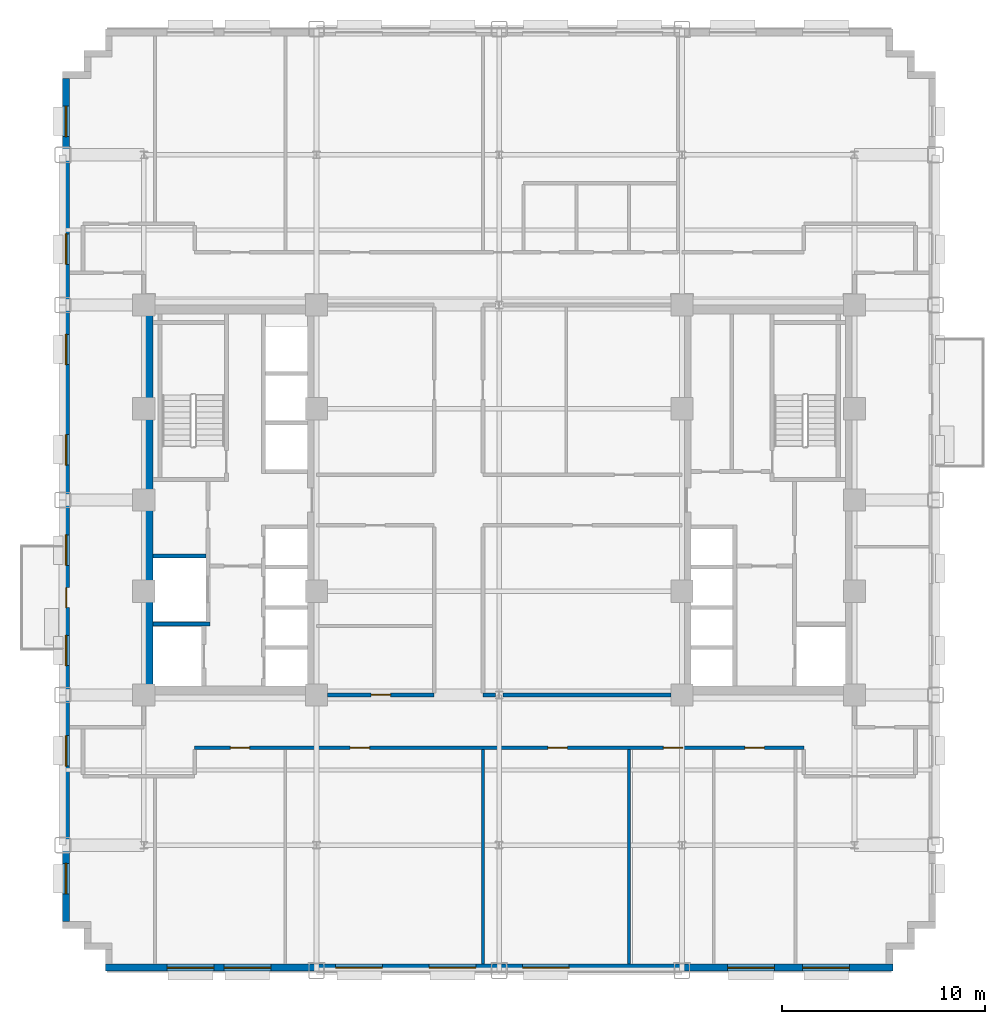
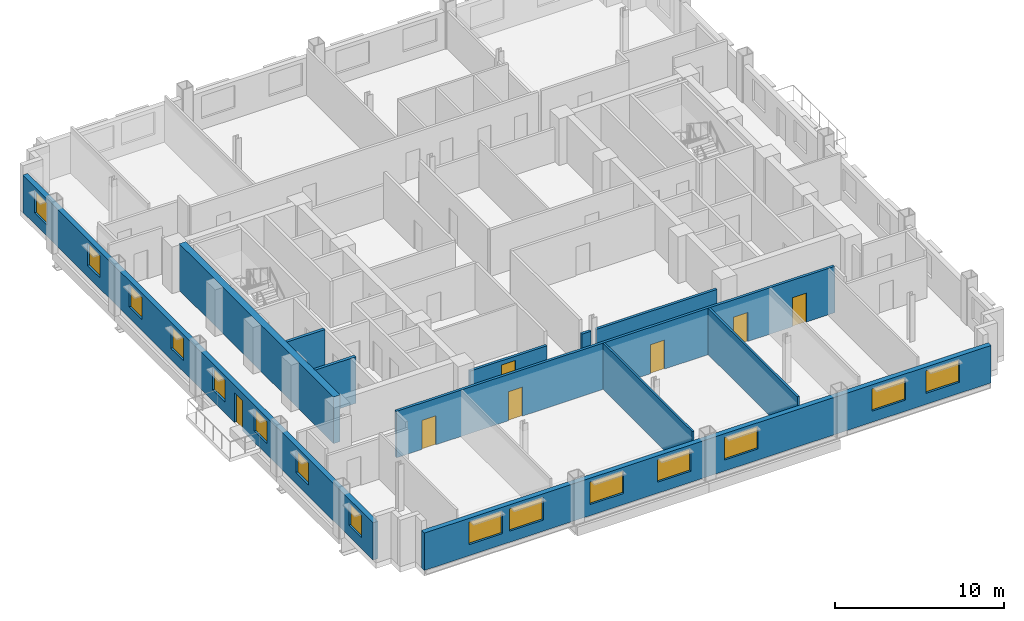
# One storey, part 6 of 14: 15 windows, 11 walls, 7 doors, 22 openings.
"""IFC4 building model written with IfcOpenShell, lengths in metres."""

from ifc_helpers import new_model, si_unit, direction, frame, frame_2d, origin, place, context, subcontext, project, spatial, rectangle, extrude, source, transform, mapped, material, layer, layer_set, type_object, type_shapes, element, fill, save


model = new_model("IFC4")

# Units and contexts
model_context = context("Model", 3, precision=1e-05, world=origin(), true_north=direction((0.0, 1.0)))
body_context = subcontext(model_context, "Body", "Model", "MODEL_VIEW")
ifc_project = project(units=[si_unit("LENGTHUNIT", "METRE"), si_unit("AREAUNIT", "SQUARE_METRE"), si_unit("VOLUMEUNIT", "CUBIC_METRE"), si_unit("PLANEANGLEUNIT", "RADIAN"), si_unit("MASSUNIT", "GRAM", prefix="KILO")], contexts=[model_context])

# Site, building, storey
site_placement = place(None, origin())
site = spatial("IfcSite", under=ifc_project, at=site_placement, CompositionType="ELEMENT")
building_placement = place(site_placement, origin())
building = spatial("IfcBuilding", under=site, at=building_placement, Name="Nuvemarco Arch Tower", CompositionType="ELEMENT")
storey_placement = place(building_placement, frame((0.0, 0.0, 56.800048828125)))
storey = spatial("IfcBuildingStorey", under=building, at=storey_placement, Name="L14", CompositionType="ELEMENT", Elevation=56.800048828125)

# Wall, openings, windows
ifc_material_1 = material(Name="Precast concrete C45/55", Category="concrete")
ifc_layer_1 = layer(ifc_material_1, 0.340087890625, Name="EW-LOW-340")
ifc_layer_set_1 = layer_set([ifc_layer_1], Name="Precast concrete C45/55")
wall_type_1 = type_object("IfcWallType", Name="EW-LOW-340", PredefinedType="STANDARD", material=ifc_layer_set_1)
wall_1_placement = place(storey_placement, frame((-19.39990234375, -23.030029296875, 0.0), z_axis=(0.0, 0.0, 1.0), x_axis=(1.0, 0.0, 0.0)))
wall_1 = element("IfcWall", 1, at=wall_1_placement, inside=storey, type_object=wall_type_1, Name="L14 exterior precast facade wall 1", PredefinedType="STANDARD", context=body_context, shape_type="SweptSolid", body=[
    extrude(rectangle(XDim=38.7998046875, YDim=0.340087890625, at=frame_2d((19.39990234375, 0.0))), origin(), (0.0, 0.0, 1.0), 2.704833984375),
])
opening_1_placement = place(wall_1_placement, frame((3.050048828125, 0.0, 0.800048828125)))
opening_1 = element("IfcOpeningElement", 2, at=opening_1_placement, cuts=wall_1, Name="Opening WN-10", PredefinedType="OPENING", context=body_context, shape_type="SweptSolid", body=[
    extrude(rectangle(XDim=2.300048828125, YDim=1.6201171875, at=frame_2d((1.14990234375, 0.81005859375))), frame((0.0, 0.179931640625, 0.0), z_axis=(0.0, -1.0, 0.0), x_axis=(1.0, 0.0, 0.0)), (0.0, 0.0, 1.0), 0.360107421875),
])
opening_2_placement = place(wall_1_placement, frame((5.85009765625, 0.0, 0.800048828125)))
opening_2 = element("IfcOpeningElement", 3, at=opening_2_placement, cuts=wall_1, Name="Opening WN-10", PredefinedType="OPENING", context=body_context, shape_type="SweptSolid", body=[
    extrude(rectangle(XDim=2.300048828125, YDim=1.6201171875, at=frame_2d((1.14990234375, 0.81005859375))), frame((0.0, 0.179931640625, 0.0), z_axis=(0.0, -1.0, 0.0), x_axis=(1.0, 0.0, 0.0)), (0.0, 0.0, 1.0), 0.360107421875),
])
opening_3_placement = place(wall_1_placement, frame((11.35009765625, 0.0, 0.800048828125)))
opening_3 = element("IfcOpeningElement", 4, at=opening_3_placement, cuts=wall_1, Name="Opening WN-10", PredefinedType="OPENING", context=body_context, shape_type="SweptSolid", body=[
    extrude(rectangle(XDim=2.300048828125, YDim=1.6201171875, at=frame_2d((1.14990234375, 0.81005859375))), frame((0.0, 0.179931640625, 0.0), z_axis=(0.0, -1.0, 0.0), x_axis=(1.0, 0.0, 0.0)), (0.0, 0.0, 1.0), 0.360107421875),
])
opening_4_placement = place(wall_1_placement, frame((15.949951171875, 0.0, 0.800048828125)))
opening_4 = element("IfcOpeningElement", 5, at=opening_4_placement, cuts=wall_1, Name="Opening WN-10", PredefinedType="OPENING", context=body_context, shape_type="SweptSolid", body=[
    extrude(rectangle(XDim=2.300048828125, YDim=1.6201171875, at=frame_2d((1.14990234375, 0.81005859375))), frame((0.0, 0.179931640625, 0.0), z_axis=(0.0, -1.0, 0.0), x_axis=(1.0, 0.0, 0.0)), (0.0, 0.0, 1.0), 0.360107421875),
])
opening_5_placement = place(wall_1_placement, frame((20.550048828125, 0.0, 0.800048828125)))
opening_5 = element("IfcOpeningElement", 6, at=opening_5_placement, cuts=wall_1, Name="Opening WN-10", PredefinedType="OPENING", context=body_context, shape_type="SweptSolid", body=[
    extrude(rectangle(XDim=2.300048828125, YDim=1.6201171875, at=frame_2d((1.14990234375, 0.81005859375))), frame((0.0, 0.179931640625, 0.0), z_axis=(0.0, -1.0, 0.0), x_axis=(1.0, 0.0, 0.0)), (0.0, 0.0, 1.0), 0.360107421875),
])
opening_6_placement = place(wall_1_placement, frame((30.64990234375, 0.0, 0.800048828125)))
opening_6 = element("IfcOpeningElement", 7, at=opening_6_placement, cuts=wall_1, Name="Opening WN-10", PredefinedType="OPENING", context=body_context, shape_type="SweptSolid", body=[
    extrude(rectangle(XDim=2.300048828125, YDim=1.6201171875, at=frame_2d((1.14990234375, 0.81005859375))), frame((0.0, 0.179931640625, 0.0), z_axis=(0.0, -1.0, 0.0), x_axis=(1.0, 0.0, 0.0)), (0.0, 0.0, 1.0), 0.360107421875),
])
opening_7_placement = place(wall_1_placement, frame((34.35009765625, 0.0, 0.800048828125)))
opening_7 = element("IfcOpeningElement", 8, at=opening_7_placement, cuts=wall_1, Name="Opening WN-10", PredefinedType="OPENING", context=body_context, shape_type="SweptSolid", body=[
    extrude(rectangle(XDim=2.300048828125, YDim=1.6201171875, at=frame_2d((1.14990234375, 0.81005859375))), frame((0.0, 0.179931640625, 0.0), z_axis=(0.0, -1.0, 0.0), x_axis=(1.0, 0.0, 0.0)), (0.0, 0.0, 1.0), 0.360107421875),
])
ifc_material_2 = material(Name="Insulated solar-control glass", Category="glass")
window_type_1 = type_object("IfcWindowType", Name="WN-STEP-2300x1700", PartitioningType="DOUBLE_PANEL_VERTICAL", PredefinedType="WINDOW", material=ifc_material_2)
shared_shape_1 = source(origin(), body_context, "Body", "SweptSolid", [
    extrude(rectangle(XDim=2.300048828125, YDim=1.6201171875, at=frame_2d((1.14990234375, 0.81005859375))), frame((0.0, 0.030029296875, 0.0), z_axis=(0.0, -1.0, 0.0), x_axis=(1.0, 0.0, 0.0)), (0.0, 0.0, 1.0), 0.06005859375),
])
type_shapes(window_type_1, [shared_shape_1])
window_1_placement = place(opening_1_placement, origin())
window_1 = element("IfcWindow", 9, at=window_1_placement, inside=storey, type_object=window_type_1, Name="L14 punched facade window 1", OverallHeight=1.6201171875, OverallWidth=2.300048828125, PartitioningType="SINGLE_PANEL", PredefinedType="WINDOW", context=body_context, shape_type="MappedRepresentation", body=[
    mapped(shared_shape_1, transform((0.0, 0.0, 0.0), scale=1.0)),
])
fill(opening_1, window_1)
window_2_placement = place(opening_2_placement, origin())
window_2 = element("IfcWindow", 10, at=window_2_placement, inside=storey, type_object=window_type_1, Name="L14 punched facade window 2", OverallHeight=1.6201171875, OverallWidth=2.300048828125, PartitioningType="SINGLE_PANEL", PredefinedType="WINDOW", context=body_context, shape_type="MappedRepresentation", body=[
    mapped(shared_shape_1, transform((0.0, 0.0, 0.0), scale=1.0)),
])
fill(opening_2, window_2)
window_3_placement = place(opening_3_placement, origin())
window_3 = element("IfcWindow", 11, at=window_3_placement, inside=storey, type_object=window_type_1, Name="L14 punched facade window 3", OverallHeight=1.6201171875, OverallWidth=2.300048828125, PartitioningType="SINGLE_PANEL", PredefinedType="WINDOW", context=body_context, shape_type="MappedRepresentation", body=[
    mapped(shared_shape_1, transform((0.0, 0.0, 0.0), scale=1.0)),
])
fill(opening_3, window_3)
window_4_placement = place(opening_4_placement, origin())
window_4 = element("IfcWindow", 12, at=window_4_placement, inside=storey, type_object=window_type_1, Name="L14 punched facade window 4", OverallHeight=1.6201171875, OverallWidth=2.300048828125, PartitioningType="SINGLE_PANEL", PredefinedType="WINDOW", context=body_context, shape_type="MappedRepresentation", body=[
    mapped(shared_shape_1, transform((0.0, 0.0, 0.0), scale=1.0)),
])
fill(opening_4, window_4)
window_5_placement = place(opening_5_placement, origin())
window_5 = element("IfcWindow", 13, at=window_5_placement, inside=storey, type_object=window_type_1, Name="L14 punched facade window 5", OverallHeight=1.6201171875, OverallWidth=2.300048828125, PartitioningType="SINGLE_PANEL", PredefinedType="WINDOW", context=body_context, shape_type="MappedRepresentation", body=[
    mapped(shared_shape_1, transform((0.0, 0.0, 0.0), scale=1.0)),
])
fill(opening_5, window_5)
window_6_placement = place(opening_6_placement, origin())
window_6 = element("IfcWindow", 14, at=window_6_placement, inside=storey, type_object=window_type_1, Name="L14 punched facade window 7", OverallHeight=1.6201171875, OverallWidth=2.300048828125, PartitioningType="SINGLE_PANEL", PredefinedType="WINDOW", context=body_context, shape_type="MappedRepresentation", body=[
    mapped(shared_shape_1, transform((0.0, 0.0, 0.0), scale=1.0)),
])
fill(opening_6, window_6)
window_7_placement = place(opening_7_placement, origin())
window_7 = element("IfcWindow", 15, at=window_7_placement, inside=storey, type_object=window_type_1, Name="L14 punched facade window 8", OverallHeight=1.6201171875, OverallWidth=2.300048828125, PartitioningType="SINGLE_PANEL", PredefinedType="WINDOW", context=body_context, shape_type="MappedRepresentation", body=[
    mapped(shared_shape_1, transform((0.0, 0.0, 0.0), scale=1.0)),
])
fill(opening_7, window_7)

# Wall, openings, door, windows
wall_2_placement = place(storey_placement, frame((-21.330078125, -20.763916015625, 0.0), z_axis=(0.0, 0.0, 1.0), x_axis=(0.0, 1.0, 0.0)))
wall_2 = element("IfcWall", 16, at=wall_2_placement, inside=storey, type_object=wall_type_1, Name="L14 exterior precast facade wall 16", PredefinedType="STANDARD", context=body_context, shape_type="SweptSolid", body=[
    extrude(rectangle(XDim=41.52783203125, YDim=0.340087890625, at=frame_2d((20.763916015625, 0.0))), origin(), (0.0, 0.0, 1.0), 2.704833984375),
])
opening_8_placement = place(wall_2_placement, frame((15.464111328125, 0.0, 0.0)))
opening_8 = element("IfcOpeningElement", 17, at=opening_8_placement, cuts=wall_2, Name="Opening ED-6", PredefinedType="OPENING", context=body_context, shape_type="SweptSolid", body=[
    extrude(rectangle(XDim=0.97998046875, YDim=2.14990234375, at=frame_2d((0.489990234375, 1.074951171875))), frame((0.0, 0.179931640625, 0.0), z_axis=(0.0, -1.0, 0.0), x_axis=(1.0, 0.0, 0.0)), (0.0, 0.0, 1.0), 0.360107421875),
])
opening_9_placement = place(wall_2_placement, frame((1.37060546875, 0.0, 0.800048828125)))
opening_9 = element("IfcOpeningElement", 18, at=opening_9_placement, cuts=wall_2, Name="Opening WN-11", PredefinedType="OPENING", context=body_context, shape_type="SweptSolid", body=[
    extrude(rectangle(XDim=1.5, YDim=1.60009765625, at=frame_2d((0.75, 0.800048828125))), frame((0.0, 0.179931640625, 0.0), z_axis=(0.0, -1.0, 0.0), x_axis=(1.0, 0.0, 0.0)), (0.0, 0.0, 1.0), 0.360107421875),
])
opening_10_placement = place(wall_2_placement, frame((7.66162109375, 0.0, 0.800048828125)))
opening_10 = element("IfcOpeningElement", 19, at=opening_10_placement, cuts=wall_2, Name="Opening WN-11", PredefinedType="OPENING", context=body_context, shape_type="SweptSolid", body=[
    extrude(rectangle(XDim=1.5, YDim=1.60009765625, at=frame_2d((0.75, 0.800048828125))), frame((0.0, 0.179931640625, 0.0), z_axis=(0.0, -1.0, 0.0), x_axis=(1.0, 0.0, 0.0)), (0.0, 0.0, 1.0), 0.360107421875),
])
opening_11_placement = place(wall_2_placement, frame((12.6025390625, 0.0, 0.800048828125)))
opening_11 = element("IfcOpeningElement", 20, at=opening_11_placement, cuts=wall_2, Name="Opening WN-11", PredefinedType="OPENING", context=body_context, shape_type="SweptSolid", body=[
    extrude(rectangle(XDim=1.5, YDim=1.60009765625, at=frame_2d((0.75, 0.800048828125))), frame((0.0, 0.179931640625, 0.0), z_axis=(0.0, -1.0, 0.0), x_axis=(1.0, 0.0, 0.0)), (0.0, 0.0, 1.0), 0.360107421875),
])
opening_12_placement = place(wall_2_placement, frame((17.54345703125, 0.0, 0.800048828125)))
opening_12 = element("IfcOpeningElement", 21, at=opening_12_placement, cuts=wall_2, Name="Opening WN-11", PredefinedType="OPENING", context=body_context, shape_type="SweptSolid", body=[
    extrude(rectangle(XDim=1.5, YDim=1.60009765625, at=frame_2d((0.75, 0.800048828125))), frame((0.0, 0.179931640625, 0.0), z_axis=(0.0, -1.0, 0.0), x_axis=(1.0, 0.0, 0.0)), (0.0, 0.0, 1.0), 0.360107421875),
])
opening_13_placement = place(wall_2_placement, frame((22.484619140625, 0.0, 0.800048828125)))
opening_13 = element("IfcOpeningElement", 22, at=opening_13_placement, cuts=wall_2, Name="Opening WN-11", PredefinedType="OPENING", context=body_context, shape_type="SweptSolid", body=[
    extrude(rectangle(XDim=1.5, YDim=1.60009765625, at=frame_2d((0.75, 0.800048828125))), frame((0.0, 0.179931640625, 0.0), z_axis=(0.0, -1.0, 0.0), x_axis=(1.0, 0.0, 0.0)), (0.0, 0.0, 1.0), 0.360107421875),
])
opening_14_placement = place(wall_2_placement, frame((27.425537109375, 0.0, 0.800048828125)))
opening_14 = element("IfcOpeningElement", 23, at=opening_14_placement, cuts=wall_2, Name="Opening WN-11", PredefinedType="OPENING", context=body_context, shape_type="SweptSolid", body=[
    extrude(rectangle(XDim=1.5, YDim=1.60009765625, at=frame_2d((0.75, 0.800048828125))), frame((0.0, 0.179931640625, 0.0), z_axis=(0.0, -1.0, 0.0), x_axis=(1.0, 0.0, 0.0)), (0.0, 0.0, 1.0), 0.360107421875),
])
opening_15_placement = place(wall_2_placement, frame((32.366455078125, 0.0, 0.800048828125)))
opening_15 = element("IfcOpeningElement", 24, at=opening_15_placement, cuts=wall_2, Name="Opening WN-11", PredefinedType="OPENING", context=body_context, shape_type="SweptSolid", body=[
    extrude(rectangle(XDim=1.5, YDim=1.60009765625, at=frame_2d((0.75, 0.800048828125))), frame((0.0, 0.179931640625, 0.0), z_axis=(0.0, -1.0, 0.0), x_axis=(1.0, 0.0, 0.0)), (0.0, 0.0, 1.0), 0.360107421875),
])
opening_16_placement = place(wall_2_placement, frame((38.657470703125, 0.0, 0.800048828125)))
opening_16 = element("IfcOpeningElement", 25, at=opening_16_placement, cuts=wall_2, Name="Opening WN-11", PredefinedType="OPENING", context=body_context, shape_type="SweptSolid", body=[
    extrude(rectangle(XDim=1.5, YDim=1.60009765625, at=frame_2d((0.75, 0.800048828125))), frame((0.0, 0.179931640625, 0.0), z_axis=(0.0, -1.0, 0.0), x_axis=(1.0, 0.0, 0.0)), (0.0, 0.0, 1.0), 0.360107421875),
])
ifc_material_3 = material(Name="Anodised bronze and laminated glass", Category="glass")
door_type_1 = type_object("IfcDoorType", Name="DR-EXT-BALC", OperationType="NOTDEFINED", PredefinedType="DOOR", material=ifc_material_3)
shared_shape_2 = source(origin(), body_context, "Body", "SweptSolid", [
    extrude(rectangle(XDim=0.97998046875, YDim=2.14990234375, at=frame_2d((0.489990234375, 1.074951171875))), frame((0.0, 0.02490234375, 0.0), z_axis=(0.0, -1.0, 0.0), x_axis=(1.0, 0.0, 0.0)), (0.0, 0.0, 1.0), 0.050048828125),
])
type_shapes(door_type_1, [shared_shape_2])
door_1_placement = place(opening_8_placement, origin())
door_1 = element("IfcDoor", 26, at=door_1_placement, inside=storey, type_object=door_type_1, Name="L14 tree balcony access door", OperationType="SINGLE_SWING_LEFT", OverallHeight=2.14990234375, OverallWidth=0.97998046875, PredefinedType="DOOR", context=body_context, shape_type="MappedRepresentation", body=[
    mapped(shared_shape_2, transform((0.0, 0.0, 0.0), scale=1.0)),
])
fill(opening_8, door_1)
window_type_2 = type_object("IfcWindowType", Name="WN-STEP-1500x1850", PartitioningType="SINGLE_PANEL", PredefinedType="WINDOW", material=ifc_material_2)
shared_shape_3 = source(origin(), body_context, "Body", "SweptSolid", [
    extrude(rectangle(XDim=1.5, YDim=1.60009765625, at=frame_2d((0.75, 0.800048828125))), frame((0.0, 0.030029296875, 0.0), z_axis=(0.0, -1.0, 0.0), x_axis=(1.0, 0.0, 0.0)), (0.0, 0.0, 1.0), 0.06005859375),
])
type_shapes(window_type_2, [shared_shape_3])
window_8_placement = place(opening_9_placement, origin())
window_8 = element("IfcWindow", 27, at=window_8_placement, inside=storey, type_object=window_type_2, Name="L14 punched facade window 1", OverallHeight=1.60009765625, OverallWidth=1.5, PartitioningType="SINGLE_PANEL", PredefinedType="WINDOW", context=body_context, shape_type="MappedRepresentation", body=[
    mapped(shared_shape_3, transform((0.0, 0.0, 0.0), scale=1.0)),
])
fill(opening_9, window_8)
window_9_placement = place(opening_10_placement, origin())
window_9 = element("IfcWindow", 28, at=window_9_placement, inside=storey, type_object=window_type_2, Name="L14 punched facade window 2", OverallHeight=1.60009765625, OverallWidth=1.5, PartitioningType="SINGLE_PANEL", PredefinedType="WINDOW", context=body_context, shape_type="MappedRepresentation", body=[
    mapped(shared_shape_3, transform((0.0, 0.0, 0.0), scale=1.0)),
])
fill(opening_10, window_9)
window_10_placement = place(opening_11_placement, origin())
window_10 = element("IfcWindow", 29, at=window_10_placement, inside=storey, type_object=window_type_2, Name="L14 punched facade window 3", OverallHeight=1.60009765625, OverallWidth=1.5, PartitioningType="SINGLE_PANEL", PredefinedType="WINDOW", context=body_context, shape_type="MappedRepresentation", body=[
    mapped(shared_shape_3, transform((0.0, 0.0, 0.0), scale=1.0)),
])
fill(opening_11, window_10)
window_11_placement = place(opening_12_placement, origin())
window_11 = element("IfcWindow", 30, at=window_11_placement, inside=storey, type_object=window_type_2, Name="L14 punched facade window 4", OverallHeight=1.60009765625, OverallWidth=1.5, PartitioningType="SINGLE_PANEL", PredefinedType="WINDOW", context=body_context, shape_type="MappedRepresentation", body=[
    mapped(shared_shape_3, transform((0.0, 0.0, 0.0), scale=1.0)),
])
fill(opening_12, window_11)
window_12_placement = place(opening_13_placement, origin())
window_12 = element("IfcWindow", 31, at=window_12_placement, inside=storey, type_object=window_type_2, Name="L14 punched facade window 5", OverallHeight=1.60009765625, OverallWidth=1.5, PartitioningType="SINGLE_PANEL", PredefinedType="WINDOW", context=body_context, shape_type="MappedRepresentation", body=[
    mapped(shared_shape_3, transform((0.0, 0.0, 0.0), scale=1.0)),
])
fill(opening_13, window_12)
window_13_placement = place(opening_14_placement, origin())
window_13 = element("IfcWindow", 32, at=window_13_placement, inside=storey, type_object=window_type_2, Name="L14 punched facade window 6", OverallHeight=1.60009765625, OverallWidth=1.5, PartitioningType="SINGLE_PANEL", PredefinedType="WINDOW", context=body_context, shape_type="MappedRepresentation", body=[
    mapped(shared_shape_3, transform((0.0, 0.0, 0.0), scale=1.0)),
])
fill(opening_14, window_13)
window_14_placement = place(opening_15_placement, origin())
window_14 = element("IfcWindow", 33, at=window_14_placement, inside=storey, type_object=window_type_2, Name="L14 punched facade window 7", OverallHeight=1.60009765625, OverallWidth=1.5, PartitioningType="SINGLE_PANEL", PredefinedType="WINDOW", context=body_context, shape_type="MappedRepresentation", body=[
    mapped(shared_shape_3, transform((0.0, 0.0, 0.0), scale=1.0)),
])
fill(opening_15, window_14)
window_15_placement = place(opening_16_placement, origin())
window_15 = element("IfcWindow", 34, at=window_15_placement, inside=storey, type_object=window_type_2, Name="L14 punched facade window 8", OverallHeight=1.60009765625, OverallWidth=1.5, PartitioningType="SINGLE_PANEL", PredefinedType="WINDOW", context=body_context, shape_type="MappedRepresentation", body=[
    mapped(shared_shape_3, transform((0.0, 0.0, 0.0), scale=1.0)),
])
fill(opening_16, window_15)

# Wall
ifc_material_4 = material(Name="Concrete C60/75", Category="concrete")
ifc_layer_2 = layer(ifc_material_4, 0.449951171875, Name="WL-CORE-450")
ifc_layer_set_2 = layer_set([ifc_layer_2], Name="Concrete C60/75")
wall_type_2 = type_object("IfcWallType", Name="WL-CORE-450", PredefinedType="SHEAR", material=ifc_layer_set_2)
wall_3_placement = place(storey_placement, frame((-17.27490234375, -9.155029296875, 0.0), z_axis=(0.0, 0.0, 1.0), x_axis=(0.0, 1.0, 0.0)))
element("IfcWall", 35, at=wall_3_placement, inside=storey, type_object=wall_type_2, Name="L14 W-core shear wall W", PredefinedType="SHEAR", context=body_context, shape_type="SweptSolid", body=[
    extrude(rectangle(XDim=18.31005859375, YDim=0.449951171875, at=frame_2d((9.155029296875, 0.0))), origin(), (0.0, 0.0, 1.0), 3.369873046875),
])

# Wall, openings, doors
ifc_material_5 = material(Name="Fire-rated gypsum drywall partition")
ifc_layer_3 = layer(ifc_material_5, 0.179931640625, Name="WL-CORR-180")
ifc_layer_set_3 = layer_set([ifc_layer_3], Name="Fire-rated gypsum drywall partition")
wall_type_3 = type_object("IfcWallType", Name="WL-CORR-180", PredefinedType="PARTITIONING", material=ifc_layer_set_3)
wall_4_placement = place(storey_placement, frame((-15.0, -12.199951171875, 0.0), z_axis=(0.0, 0.0, 1.0), x_axis=(1.0, 0.0, 0.0)))
wall_4 = element("IfcWall", 36, at=wall_4_placement, inside=storey, type_object=wall_type_3, Name="L14 interior wall IW-L14-003", PredefinedType="PARTITIONING", context=body_context, shape_type="SweptSolid", body=[
    extrude(rectangle(XDim=30.0, YDim=0.179931640625, at=frame_2d((15.0, 0.0))), origin(), (0.0, 0.0, 1.0), 3.35986328125),
])
opening_17_placement = place(wall_4_placement, frame((17.39990234375, 0.0, 0.0)))
opening_17 = element("IfcOpeningElement", 37, at=opening_17_placement, cuts=wall_4, Name="Opening FD-5", PredefinedType="OPENING", context=body_context, shape_type="SweptSolid", body=[
    extrude(rectangle(XDim=0.9599609375, YDim=2.10009765625, at=frame_2d((0.47998046875, 1.050048828125))), frame((0.0, 0.099853515625, 0.0), z_axis=(0.0, -1.0, 0.0), x_axis=(1.0, 0.0, 0.0)), (0.0, 0.0, 1.0), 0.199951171875),
])
opening_18_placement = place(wall_4_placement, frame((7.655029296875, 0.0, 0.0)))
opening_18 = element("IfcOpeningElement", 38, at=opening_18_placement, cuts=wall_4, Name="Opening FD-5", PredefinedType="OPENING", context=body_context, shape_type="SweptSolid", body=[
    extrude(rectangle(XDim=0.9599609375, YDim=2.10009765625, at=frame_2d((0.47998046875, 1.050048828125))), frame((0.0, 0.099853515625, 0.0), z_axis=(0.0, -1.0, 0.0), x_axis=(1.0, 0.0, 0.0)), (0.0, 0.0, 1.0), 0.199951171875),
])
opening_19_placement = place(wall_4_placement, frame((1.7548828125, 0.0, 0.0)))
opening_19 = element("IfcOpeningElement", 39, at=opening_19_placement, cuts=wall_4, Name="Opening FD-5", PredefinedType="OPENING", context=body_context, shape_type="SweptSolid", body=[
    extrude(rectangle(XDim=0.9599609375, YDim=2.10009765625, at=frame_2d((0.47998046875, 1.050048828125))), frame((0.0, 0.099853515625, 0.0), z_axis=(0.0, -1.0, 0.0), x_axis=(1.0, 0.0, 0.0)), (0.0, 0.0, 1.0), 0.199951171875),
])
opening_20_placement = place(wall_4_placement, frame((27.10009765625, 0.0, 0.0)))
opening_20 = element("IfcOpeningElement", 40, at=opening_20_placement, cuts=wall_4, Name="Opening FD-5", PredefinedType="OPENING", context=body_context, shape_type="SweptSolid", body=[
    extrude(rectangle(XDim=0.9599609375, YDim=2.10009765625, at=frame_2d((0.47998046875, 1.050048828125))), frame((0.0, 0.099853515625, 0.0), z_axis=(0.0, -1.0, 0.0), x_axis=(1.0, 0.0, 0.0)), (0.0, 0.0, 1.0), 0.199951171875),
])
opening_21_placement = place(wall_4_placement, frame((23.0849609375, 0.0, 0.0)))
opening_21 = element("IfcOpeningElement", 41, at=opening_21_placement, cuts=wall_4, Name="Opening FD-5", PredefinedType="OPENING", context=body_context, shape_type="SweptSolid", body=[
    extrude(rectangle(XDim=0.9599609375, YDim=2.10009765625, at=frame_2d((0.47998046875, 1.050048828125))), frame((0.0, 0.099853515625, 0.0), z_axis=(0.0, -1.0, 0.0), x_axis=(1.0, 0.0, 0.0)), (0.0, 0.0, 1.0), 0.199951171875),
])
ifc_material_6 = material(Name="Timber fire door", Category="wood")
door_type_2 = type_object("IfcDoorType", Name="DR-CORR-FD", OperationType="NOTDEFINED", PredefinedType="DOOR", material=ifc_material_6)
shared_shape_4 = source(origin(), body_context, "Body", "SweptSolid", [
    extrude(rectangle(XDim=0.9599609375, YDim=2.10009765625, at=frame_2d((0.47998046875, 1.050048828125))), frame((0.0, 0.02490234375, 0.0), z_axis=(0.0, -1.0, 0.0), x_axis=(1.0, 0.0, 0.0)), (0.0, 0.0, 1.0), 0.050048828125),
])
type_shapes(door_type_2, [shared_shape_4])
door_2_placement = place(opening_17_placement, origin())
door_2 = element("IfcDoor", 42, at=door_2_placement, inside=storey, type_object=door_type_2, Name="L14 door DR-L14-S_4", OperationType="SINGLE_SWING_LEFT", OverallHeight=2.10009765625, OverallWidth=0.9599609375, PredefinedType="DOOR", context=body_context, shape_type="MappedRepresentation", body=[
    mapped(shared_shape_4, transform((0.0, 0.0, 0.0), scale=1.0)),
])
fill(opening_17, door_2)
door_3_placement = place(opening_18_placement, origin())
door_3 = element("IfcDoor", 43, at=door_3_placement, inside=storey, type_object=door_type_2, Name="L14 door DR-L14-S_3", OperationType="SINGLE_SWING_LEFT", OverallHeight=2.10009765625, OverallWidth=0.9599609375, PredefinedType="DOOR", context=body_context, shape_type="MappedRepresentation", body=[
    mapped(shared_shape_4, transform((0.0, 0.0, 0.0), scale=1.0)),
])
fill(opening_18, door_3)
door_4_placement = place(opening_19_placement, origin())
door_4 = element("IfcDoor", 44, at=door_4_placement, inside=storey, type_object=door_type_2, Name="L14 door DR-L14-S_2", OperationType="SINGLE_SWING_RIGHT", OverallHeight=2.10009765625, OverallWidth=0.9599609375, PredefinedType="DOOR", context=body_context, shape_type="MappedRepresentation", body=[
    mapped(shared_shape_4, transform((0.0, 0.0, 0.0), scale=1.0)),
])
fill(opening_19, door_4)
door_5_placement = place(opening_20_placement, origin())
door_5 = element("IfcDoor", 45, at=door_5_placement, inside=storey, type_object=door_type_2, Name="L14 door DR-L14-S_6", OperationType="SINGLE_SWING_LEFT", OverallHeight=2.10009765625, OverallWidth=0.9599609375, PredefinedType="DOOR", context=body_context, shape_type="MappedRepresentation", body=[
    mapped(shared_shape_4, transform((0.0, 0.0, 0.0), scale=1.0)),
])
fill(opening_20, door_5)
door_6_placement = place(opening_21_placement, origin())
door_6 = element("IfcDoor", 46, at=door_6_placement, inside=storey, type_object=door_type_2, Name="L14 door DR-L14-S_5", OperationType="SINGLE_SWING_RIGHT", OverallHeight=2.10009765625, OverallWidth=0.9599609375, PredefinedType="DOOR", context=body_context, shape_type="MappedRepresentation", body=[
    mapped(shared_shape_4, transform((0.0, 0.0, 0.0), scale=1.0)),
])
fill(opening_21, door_6)

# Wall, opening, door
wall_5_placement = place(storey_placement, frame((-8.4541015625, -9.60009765625, 0.0), z_axis=(0.0, 0.0, 1.0), x_axis=(1.0, 0.0, 0.0)))
wall_5 = element("IfcWall", 47, at=wall_5_placement, inside=storey, type_object=wall_type_3, Name="L14 interior wall IW-L14-006", PredefinedType="PARTITIONING", context=body_context, shape_type="SweptSolid", body=[
    extrude(rectangle(XDim=5.254150390625, YDim=0.179931640625, at=frame_2d((2.626953125, 0.0))), origin(), (0.0, 0.0, 1.0), 2.405029296875),
])
opening_22_placement = place(wall_5_placement, frame((2.14697265625, 0.0, 0.0)))
opening_22 = element("IfcOpeningElement", 48, at=opening_22_placement, cuts=wall_5, Name="Opening FD-5", PredefinedType="OPENING", context=body_context, shape_type="SweptSolid", body=[
    extrude(rectangle(XDim=0.9599609375, YDim=2.10009765625, at=frame_2d((0.47998046875, 1.050048828125))), frame((0.0, 0.099853515625, 0.0), z_axis=(0.0, -1.0, 0.0), x_axis=(1.0, 0.0, 0.0)), (0.0, 0.0, 1.0), 0.199951171875),
])
door_7_placement = place(opening_22_placement, origin())
door_7 = element("IfcDoor", 49, at=door_7_placement, inside=storey, type_object=door_type_2, Name="L14 door DR-L14-C_SW2", OperationType="SINGLE_SWING_RIGHT", OverallHeight=2.10009765625, OverallWidth=0.9599609375, PredefinedType="DOOR", context=body_context, shape_type="MappedRepresentation", body=[
    mapped(shared_shape_4, transform((0.0, 0.0, 0.0), scale=1.0)),
])
fill(opening_22, door_7)

# Walls
wall_6_placement = place(storey_placement, frame((-0.800048828125, -9.60009765625, 0.0), z_axis=(0.0, 0.0, 1.0), x_axis=(1.0, 0.0, 0.0)))
element("IfcWall", 50, at=wall_6_placement, inside=storey, type_object=wall_type_3, Name="L14 interior wall IW-L14-007", PredefinedType="PARTITIONING", context=body_context, shape_type="SweptSolid", body=[
    extrude(rectangle(XDim=0.6240234375, YDim=0.179931640625, at=frame_2d((0.31201171875, 0.0))), origin(), (0.0, 0.0, 1.0), 2.405029296875),
])
wall_7_placement = place(storey_placement, frame((0.176025390625, -9.60009765625, 0.0), z_axis=(0.0, 0.0, 1.0), x_axis=(1.0, 0.0, 0.0)))
element("IfcWall", 51, at=wall_7_placement, inside=storey, type_object=wall_type_3, Name="L14 interior wall IW-L14-008", PredefinedType="PARTITIONING", context=body_context, shape_type="SweptSolid", body=[
    extrude(rectangle(XDim=8.278076171875, YDim=0.179931640625, at=frame_2d((4.13916015625, 0.0))), origin(), (0.0, 0.0, 1.0), 2.405029296875),
])
ifc_material_7 = material(Name="Glazed acoustic office partition")
ifc_layer_4 = layer(ifc_material_7, 0.1298828125, Name="WL-EXEC-130")
ifc_layer_set_4 = layer_set([ifc_layer_4], Name="Glazed acoustic office partition")
wall_type_4 = type_object("IfcWallType", Name="WL-EXEC-130", PredefinedType="PARTITIONING", material=ifc_layer_set_4)
wall_8_placement = place(storey_placement, frame((-0.800048828125, -22.860107421875, 0.0), z_axis=(0.0, 0.0, 1.0), x_axis=(0.0, 1.0, 0.0)))
element("IfcWall", 52, at=wall_8_placement, inside=storey, type_object=wall_type_4, Name="L14 interior wall IW-L14-037", PredefinedType="PARTITIONING", context=body_context, shape_type="SweptSolid", body=[
    extrude(rectangle(XDim=10.57421875, YDim=0.1298828125, at=frame_2d((5.287109375, 0.0))), origin(), (0.0, 0.0, 1.0), 3.35986328125),
])
ifc_material_8 = material(Name="Gypsum plasterboard partition")
ifc_layer_5 = layer(ifc_material_8, 0.139892578125, Name="WL-ROOM-140")
ifc_layer_set_5 = layer_set([ifc_layer_5], Name="Gypsum plasterboard partition")
wall_type_5 = type_object("IfcWallType", Name="WL-ROOM-140", PredefinedType="PARTITIONING", material=ifc_layer_set_5)
wall_9_placement = place(storey_placement, frame((6.39990234375, -22.860107421875, 0.0), z_axis=(0.0, 0.0, 1.0), x_axis=(0.0, 1.0, 0.0)))
element("IfcWall", 53, at=wall_9_placement, inside=storey, type_object=wall_type_5, Name="L14 interior wall IW-L14-044", PredefinedType="PARTITIONING", context=body_context, shape_type="SweptSolid", body=[
    extrude(rectangle(XDim=10.57421875, YDim=0.139892578125, at=frame_2d((5.287109375, 0.0))), origin(), (0.0, 0.0, 1.0), 3.35986328125),
])
ifc_material_9 = material(Name="Concrete C50/60", Category="concrete")
ifc_layer_6 = layer(ifc_material_9, 0.199951171875, Name="WL-SHAFT-220")
ifc_layer_set_6 = layer_set([ifc_layer_6], Name="Concrete C50/60")
wall_type_6 = type_object("IfcWallType", Name="WL-SHAFT-220", PredefinedType="SHEAR", material=ifc_layer_set_6)
wall_10_placement = place(storey_placement, frame((-17.054931640625, -6.10009765625, 0.0), z_axis=(0.0, 0.0, 1.0), x_axis=(1.0, 0.0, 0.0)))
element("IfcWall", 54, at=wall_10_placement, inside=storey, type_object=wall_type_6, Name="L14 structural shaft wall SW-L14-W-SH1", PredefinedType="SHEAR", context=body_context, shape_type="SweptSolid", body=[
    extrude(rectangle(XDim=2.804931640625, YDim=0.199951171875, at=frame_2d((1.40234375, 0.0))), origin(), (0.0, 0.0, 1.0), 3.369873046875),
])
wall_11_placement = place(storey_placement, frame((-17.054931640625, -2.75, 0.0), z_axis=(0.0, 0.0, 1.0), x_axis=(1.0, 0.0, 0.0)))
element("IfcWall", 55, at=wall_11_placement, inside=storey, type_object=wall_type_6, Name="L14 structural shaft wall SW-L14-W-SH2", PredefinedType="SHEAR", context=body_context, shape_type="SweptSolid", body=[
    extrude(rectangle(XDim=2.60986328125, YDim=0.199951171875, at=frame_2d((1.304931640625, 0.0))), origin(), (0.0, 0.0, 1.0), 3.369873046875),
])

save(model, "model.ifc")
